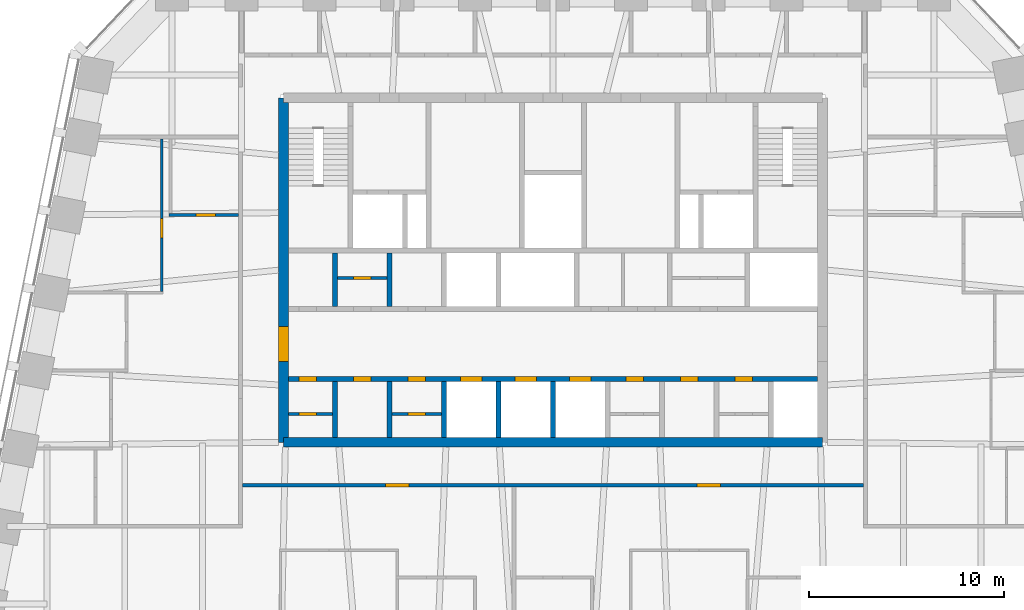
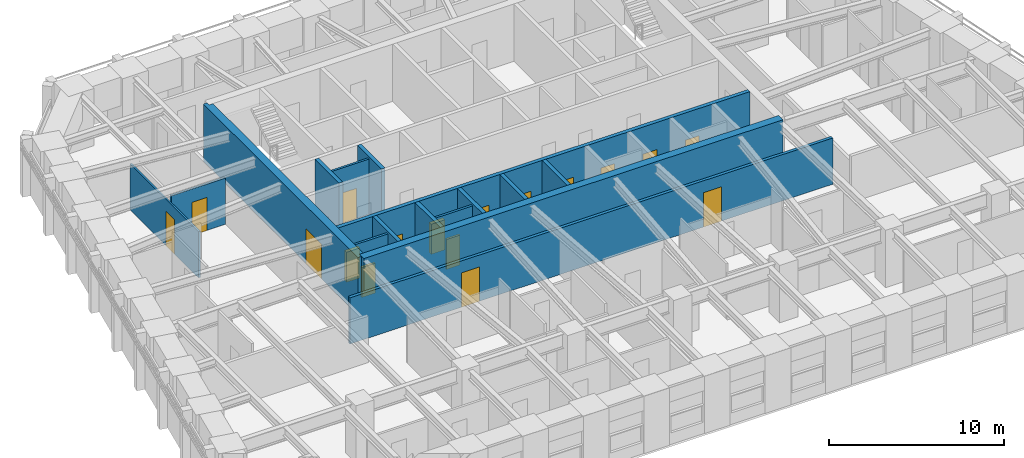
# One storey, part 6 of 11: 17 doors, 16 walls, 17 openings.
"""IFC4 building model written with IfcOpenShell, lengths in metres."""

from ifc_helpers import new_model, si_unit, direction, frame, frame_2d, origin, place, context, subcontext, project, spatial, polyline, rectangle, outline, extrude, material, layer, layer_set, type_object, element, fill, save


model = new_model("IFC4")

# Units and contexts
model_context = context("Model", 3, precision=1e-05, world=origin(), true_north=direction((0.0, 1.0)))
body_context = subcontext(model_context, "Body", "Model", "MODEL_VIEW")
ifc_project = project(units=[si_unit("LENGTHUNIT", "METRE"), si_unit("AREAUNIT", "SQUARE_METRE"), si_unit("VOLUMEUNIT", "CUBIC_METRE"), si_unit("PLANEANGLEUNIT", "RADIAN"), si_unit("MASSUNIT", "GRAM", prefix="KILO")], contexts=[model_context])

# Site, building, storey
site_placement = place(None, origin())
site = spatial("IfcSite", under=ifc_project, at=site_placement, CompositionType="ELEMENT")
building_placement = place(site_placement, origin())
building = spatial("IfcBuilding", under=site, at=building_placement, Name="Isbrekke Arena Tower", CompositionType="ELEMENT")
storey_placement = place(building_placement, frame((0.0, 0.0, 264.0)))
storey = spatial("IfcBuildingStorey", under=building, at=storey_placement, Name="L61", CompositionType="ELEMENT", Elevation=264.0)

# Wall
ifc_material_1 = material(Name="Concrete B55 (C55/67)", Category="concrete")
ifc_layer_1 = layer(ifc_material_1, 0.5)
ifc_layer_set_1 = layer_set([ifc_layer_1], Name="CW5 CORE WALL 500")
wall_type_1 = type_object("IfcWallType", Name="CW5 CORE WALL 500", PredefinedType="SHEAR", material=ifc_layer_set_1)
wall_1_placement = place(storey_placement, frame((-13.85009765625, 6.14990234375, 0.0), z_axis=(0.0, 0.0, 1.0), x_axis=(1.0, 0.0, 0.0)))
element("IfcWall", 1, at=wall_1_placement, inside=storey, type_object=wall_type_1, Name="Core wall S L61", PredefinedType="SHEAR", context=body_context, shape_type="SweptSolid", body=[
    extrude(rectangle(XDim=27.7001953125, YDim=0.5, at=frame_2d((13.85009765625, 0.0))), origin(), (0.0, 0.0, 1.0), 4.0),
])

# Wall, opening, door
wall_2_placement = place(storey_placement, frame((-13.85009765625, 23.85009765625, 0.0), z_axis=(0.0, 0.0, 1.0), x_axis=(0.0, -1.0, 0.0)))
wall_2 = element("IfcWall", 2, at=wall_2_placement, inside=storey, type_object=wall_type_1, Name="Core wall W L61", PredefinedType="SHEAR", context=body_context, shape_type="SweptSolid", body=[
    extrude(outline(polyline([(0.0, -0.25), (17.7001953125, -0.25), (17.7001953125, 0.0), (17.4501953125, 0.0), (17.4501953125, 0.25), (0.25, 0.25), (0.25, 0.0), (0.0, 0.0), (0.0, -0.25)])), origin(), (0.0, 0.0, 1.0), 4.0),
])
opening_1_placement = place(wall_2_placement, frame((11.75, 0.0, 0.0)))
opening_1 = element("IfcOpeningElement", 3, at=opening_1_placement, cuts=wall_2, Name="Opening D1", PredefinedType="OPENING", context=body_context, shape_type="SweptSolid", body=[
    extrude(rectangle(XDim=1.800048828125, YDim=2.39990234375, at=frame_2d((0.89990234375, 1.199951171875))), frame((0.0, 0.264892578125, 0.0), z_axis=(0.0, -1.0, 0.0), x_axis=(1.0, 0.0, 0.0)), (0.0, 0.0, 1.0), 0.52978515625),
])
ifc_material_2 = material(Name="Steel-framed glazed fire door", Category="steel")
door_type_1 = type_object("IfcDoorType", Name="D1 CORE LOBBY DOOR 1800 x 2400", OperationType="DOUBLE_DOOR_SINGLE_SWING", PredefinedType="DOOR", material=ifc_material_2)
door_1_placement = place(opening_1_placement, origin())
door_1 = element("IfcDoor", 4, at=door_1_placement, inside=storey, type_object=door_type_1, Name="D1 lift lobby door west L61", OperationType="DOUBLE_DOOR_SINGLE_SWING", OverallHeight=2.39990234375, OverallWidth=1.800048828125, PredefinedType="DOOR", context=body_context, shape_type="SweptSolid", body=[
    extrude(rectangle(XDim=1.800048828125, YDim=2.39990234375, at=frame_2d((0.89990234375, 1.199951171875))), frame((0.0, 0.249755859375, 0.0), z_axis=(0.0, -1.0, 0.0), x_axis=(1.0, 0.0, 0.0)), (0.0, 0.0, 1.0), 0.49951171875),
])
fill(opening_1, door_1)

# Wall, openings, doors
ifc_material_3 = material(Name="Concrete B45 (C45/55)", Category="concrete")
ifc_layer_2 = layer(ifc_material_3, 0.25)
ifc_layer_set_2 = layer_set([ifc_layer_2], Name="CW6 SHAFT WALL 250")
wall_type_2 = type_object("IfcWallType", Name="CW6 SHAFT WALL 250", PredefinedType="SHEAR", material=ifc_layer_set_2)
wall_3_placement = place(storey_placement, frame((-13.60009765625, 9.39990234375, 0.0), z_axis=(0.0, 0.0, 1.0), x_axis=(1.0, 0.0, 0.0)))
wall_3 = element("IfcWall", 5, at=wall_3_placement, inside=storey, type_object=wall_type_2, Name="Core wall LS L61", PredefinedType="SHEAR", context=body_context, shape_type="SweptSolid", body=[
    extrude(rectangle(XDim=27.2001953125, YDim=0.25, at=frame_2d((13.60009765625, 0.0))), origin(), (0.0, 0.0, 1.0), 4.0),
])
opening_2_placement = place(wall_3_placement, frame((8.85009765625, 0.0, 0.0)))
opening_2 = element("IfcOpeningElement", 6, at=opening_2_placement, cuts=wall_3, Name="Opening LD1", PredefinedType="OPENING", context=body_context, shape_type="SweptSolid", body=[
    extrude(rectangle(XDim=1.10009765625, YDim=2.10009765625, at=frame_2d((0.550048828125, 1.050048828125))), frame((0.0, 0.139892578125, 0.0), z_axis=(0.0, -1.0, 0.0), x_axis=(1.0, 0.0, 0.0)), (0.0, 0.0, 1.0), 0.27978515625),
])
opening_3_placement = place(wall_3_placement, frame((11.64990234375, 0.0, 0.0)))
opening_3 = element("IfcOpeningElement", 7, at=opening_3_placement, cuts=wall_3, Name="Opening LD1", PredefinedType="OPENING", context=body_context, shape_type="SweptSolid", body=[
    extrude(rectangle(XDim=1.10009765625, YDim=2.10009765625, at=frame_2d((0.550048828125, 1.050048828125))), frame((0.0, 0.139892578125, 0.0), z_axis=(0.0, -1.0, 0.0), x_axis=(1.0, 0.0, 0.0)), (0.0, 0.0, 1.0), 0.27978515625),
])
opening_4_placement = place(wall_3_placement, frame((14.449951171875, 0.0, 0.0)))
opening_4 = element("IfcOpeningElement", 8, at=opening_4_placement, cuts=wall_3, Name="Opening LD1", PredefinedType="OPENING", context=body_context, shape_type="SweptSolid", body=[
    extrude(rectangle(XDim=1.10009765625, YDim=2.10009765625, at=frame_2d((0.550048828125, 1.050048828125))), frame((0.0, 0.139892578125, 0.0), z_axis=(0.0, -1.0, 0.0), x_axis=(1.0, 0.0, 0.0)), (0.0, 0.0, 1.0), 0.27978515625),
])
opening_5_placement = place(wall_3_placement, frame((0.550048828125, 0.0, 0.0)))
opening_5 = element("IfcOpeningElement", 9, at=opening_5_placement, cuts=wall_3, Name="Opening D5", PredefinedType="OPENING", context=body_context, shape_type="SweptSolid", body=[
    extrude(rectangle(XDim=0.89990234375, YDim=2.10009765625, at=frame_2d((0.449951171875, 1.050048828125))), frame((0.0, 0.139892578125, 0.0), z_axis=(0.0, -1.0, 0.0), x_axis=(1.0, 0.0, 0.0)), (0.0, 0.0, 1.0), 0.27978515625),
])
opening_6_placement = place(wall_3_placement, frame((3.35009765625, 0.0, 0.0)))
opening_6 = element("IfcOpeningElement", 10, at=opening_6_placement, cuts=wall_3, Name="Opening D5", PredefinedType="OPENING", context=body_context, shape_type="SweptSolid", body=[
    extrude(rectangle(XDim=0.89990234375, YDim=2.10009765625, at=frame_2d((0.449951171875, 1.050048828125))), frame((0.0, 0.139892578125, 0.0), z_axis=(0.0, -1.0, 0.0), x_axis=(1.0, 0.0, 0.0)), (0.0, 0.0, 1.0), 0.27978515625),
])
opening_7_placement = place(wall_3_placement, frame((6.14990234375, 0.0, 0.0)))
opening_7 = element("IfcOpeningElement", 11, at=opening_7_placement, cuts=wall_3, Name="Opening D5", PredefinedType="OPENING", context=body_context, shape_type="SweptSolid", body=[
    extrude(rectangle(XDim=0.89990234375, YDim=2.10009765625, at=frame_2d((0.449951171875, 1.050048828125))), frame((0.0, 0.139892578125, 0.0), z_axis=(0.0, -1.0, 0.0), x_axis=(1.0, 0.0, 0.0)), (0.0, 0.0, 1.0), 0.27978515625),
])
opening_8_placement = place(wall_3_placement, frame((17.35009765625, 0.0, 0.0)))
opening_8 = element("IfcOpeningElement", 12, at=opening_8_placement, cuts=wall_3, Name="Opening D5", PredefinedType="OPENING", context=body_context, shape_type="SweptSolid", body=[
    extrude(rectangle(XDim=0.89990234375, YDim=2.10009765625, at=frame_2d((0.449951171875, 1.050048828125))), frame((0.0, 0.139892578125, 0.0), z_axis=(0.0, -1.0, 0.0), x_axis=(1.0, 0.0, 0.0)), (0.0, 0.0, 1.0), 0.27978515625),
])
opening_9_placement = place(wall_3_placement, frame((20.14990234375, 0.0, 0.0)))
opening_9 = element("IfcOpeningElement", 13, at=opening_9_placement, cuts=wall_3, Name="Opening D5", PredefinedType="OPENING", context=body_context, shape_type="SweptSolid", body=[
    extrude(rectangle(XDim=0.89990234375, YDim=2.10009765625, at=frame_2d((0.449951171875, 1.050048828125))), frame((0.0, 0.139892578125, 0.0), z_axis=(0.0, -1.0, 0.0), x_axis=(1.0, 0.0, 0.0)), (0.0, 0.0, 1.0), 0.27978515625),
])
opening_10_placement = place(wall_3_placement, frame((22.949951171875, 0.0, 0.0)))
opening_10 = element("IfcOpeningElement", 14, at=opening_10_placement, cuts=wall_3, Name="Opening D5", PredefinedType="OPENING", context=body_context, shape_type="SweptSolid", body=[
    extrude(rectangle(XDim=0.89990234375, YDim=2.10009765625, at=frame_2d((0.449951171875, 1.050048828125))), frame((0.0, 0.139892578125, 0.0), z_axis=(0.0, -1.0, 0.0), x_axis=(1.0, 0.0, 0.0)), (0.0, 0.0, 1.0), 0.27978515625),
])
ifc_material_4 = material(Name="Steel fire door", Category="steel")
door_type_2 = type_object("IfcDoorType", Name="D5 SERVICE DOOR 900 x 2100", OperationType="SINGLE_SWING_LEFT", PredefinedType="DOOR", material=ifc_material_4)
door_2_placement = place(opening_5_placement, origin())
door_2 = element("IfcDoor", 15, at=door_2_placement, inside=storey, type_object=door_type_2, Name="D5 print room door L61", OperationType="SINGLE_SWING_LEFT", OverallHeight=2.10009765625, OverallWidth=0.89990234375, PredefinedType="DOOR", context=body_context, shape_type="SweptSolid", body=[
    extrude(rectangle(XDim=0.89990234375, YDim=2.10009765625, at=frame_2d((0.449951171875, 1.050048828125))), frame((0.0, 0.124755859375, 0.0), z_axis=(0.0, -1.0, 0.0), x_axis=(1.0, 0.0, 0.0)), (0.0, 0.0, 1.0), 0.24951171875),
])
fill(opening_5, door_2)
door_3_placement = place(opening_6_placement, origin())
door_3 = element("IfcDoor", 16, at=door_3_placement, inside=storey, type_object=door_type_2, Name="D5 tenant store door L61", OperationType="SINGLE_SWING_LEFT", OverallHeight=2.10009765625, OverallWidth=0.89990234375, PredefinedType="DOOR", context=body_context, shape_type="SweptSolid", body=[
    extrude(rectangle(XDim=0.89990234375, YDim=2.10009765625, at=frame_2d((0.449951171875, 1.050048828125))), frame((0.0, 0.124755859375, 0.0), z_axis=(0.0, -1.0, 0.0), x_axis=(1.0, 0.0, 0.0)), (0.0, 0.0, 1.0), 0.24951171875),
])
fill(opening_6, door_3)
door_4_placement = place(opening_7_placement, origin())
door_4 = element("IfcDoor", 17, at=door_4_placement, inside=storey, type_object=door_type_2, Name="D5 tea point door L61", OperationType="SINGLE_SWING_LEFT", OverallHeight=2.10009765625, OverallWidth=0.89990234375, PredefinedType="DOOR", context=body_context, shape_type="SweptSolid", body=[
    extrude(rectangle(XDim=0.89990234375, YDim=2.10009765625, at=frame_2d((0.449951171875, 1.050048828125))), frame((0.0, 0.124755859375, 0.0), z_axis=(0.0, -1.0, 0.0), x_axis=(1.0, 0.0, 0.0)), (0.0, 0.0, 1.0), 0.24951171875),
])
fill(opening_7, door_4)
door_5_placement = place(opening_8_placement, origin())
door_5 = element("IfcDoor", 18, at=door_5_placement, inside=storey, type_object=door_type_2, Name="D5 pantry door L61", OperationType="SINGLE_SWING_LEFT", OverallHeight=2.10009765625, OverallWidth=0.89990234375, PredefinedType="DOOR", context=body_context, shape_type="SweptSolid", body=[
    extrude(rectangle(XDim=0.89990234375, YDim=2.10009765625, at=frame_2d((0.449951171875, 1.050048828125))), frame((0.0, 0.124755859375, 0.0), z_axis=(0.0, -1.0, 0.0), x_axis=(1.0, 0.0, 0.0)), (0.0, 0.0, 1.0), 0.24951171875),
])
fill(opening_8, door_5)
door_6_placement = place(opening_9_placement, origin())
door_6 = element("IfcDoor", 19, at=door_6_placement, inside=storey, type_object=door_type_2, Name="D5 print room door L61", OperationType="SINGLE_SWING_LEFT", OverallHeight=2.10009765625, OverallWidth=0.89990234375, PredefinedType="DOOR", context=body_context, shape_type="SweptSolid", body=[
    extrude(rectangle(XDim=0.89990234375, YDim=2.10009765625, at=frame_2d((0.449951171875, 1.050048828125))), frame((0.0, 0.124755859375, 0.0), z_axis=(0.0, -1.0, 0.0), x_axis=(1.0, 0.0, 0.0)), (0.0, 0.0, 1.0), 0.24951171875),
])
fill(opening_9, door_6)
door_7_placement = place(opening_10_placement, origin())
door_7 = element("IfcDoor", 20, at=door_7_placement, inside=storey, type_object=door_type_2, Name="D5 first-aid room door L61", OperationType="SINGLE_SWING_LEFT", OverallHeight=2.10009765625, OverallWidth=0.89990234375, PredefinedType="DOOR", context=body_context, shape_type="SweptSolid", body=[
    extrude(rectangle(XDim=0.89990234375, YDim=2.10009765625, at=frame_2d((0.449951171875, 1.050048828125))), frame((0.0, 0.124755859375, 0.0), z_axis=(0.0, -1.0, 0.0), x_axis=(1.0, 0.0, 0.0)), (0.0, 0.0, 1.0), 0.24951171875),
])
fill(opening_10, door_7)
ifc_material_5 = material(Name="Stainless steel lift landing door", Category="steel")
door_type_3 = type_object("IfcDoorType", Name="LD1 LIFT LANDING DOOR 1100 x 2100", OperationType="SLIDING_TO_LEFT", PredefinedType="DOOR", material=ifc_material_5)
door_8_placement = place(opening_2_placement, origin())
door_8 = element("IfcDoor", 21, at=door_8_placement, inside=storey, type_object=door_type_3, Name="LD1 lift landing door LE L61", OperationType="SLIDING_TO_LEFT", OverallHeight=2.10009765625, OverallWidth=1.10009765625, PredefinedType="DOOR", context=body_context, shape_type="SweptSolid", body=[
    extrude(rectangle(XDim=1.10009765625, YDim=2.10009765625, at=frame_2d((0.550048828125, 1.050048828125))), frame((0.0, 0.124755859375, 0.0), z_axis=(0.0, -1.0, 0.0), x_axis=(1.0, 0.0, 0.0)), (0.0, 0.0, 1.0), 0.24951171875),
])
fill(opening_2, door_8)
door_9_placement = place(opening_3_placement, origin())
door_9 = element("IfcDoor", 22, at=door_9_placement, inside=storey, type_object=door_type_3, Name="LD1 lift landing door LE L61", OperationType="SLIDING_TO_LEFT", OverallHeight=2.10009765625, OverallWidth=1.10009765625, PredefinedType="DOOR", context=body_context, shape_type="SweptSolid", body=[
    extrude(rectangle(XDim=1.10009765625, YDim=2.10009765625, at=frame_2d((0.550048828125, 1.050048828125))), frame((0.0, 0.124755859375, 0.0), z_axis=(0.0, -1.0, 0.0), x_axis=(1.0, 0.0, 0.0)), (0.0, 0.0, 1.0), 0.24951171875),
])
fill(opening_3, door_9)
door_10_placement = place(opening_4_placement, origin())
door_10 = element("IfcDoor", 23, at=door_10_placement, inside=storey, type_object=door_type_3, Name="LD1 lift landing door LE L61", OperationType="SLIDING_TO_LEFT", OverallHeight=2.10009765625, OverallWidth=1.10009765625, PredefinedType="DOOR", context=body_context, shape_type="SweptSolid", body=[
    extrude(rectangle(XDim=1.10009765625, YDim=2.10009765625, at=frame_2d((0.550048828125, 1.050048828125))), frame((0.0, 0.124755859375, 0.0), z_axis=(0.0, -1.0, 0.0), x_axis=(1.0, 0.0, 0.0)), (0.0, 0.0, 1.0), 0.24951171875),
])
fill(opening_4, door_10)

# Walls
for number, where, z_axis, x_axis, name in (
    (24, (-11.199951171875, 6.39990234375, 0.0), (0.0, 0.0, 1.0), (0.0, 1.0, 0.0), "Core wall SS01 L61"),
    (25, (-8.39990234375, 6.39990234375, 0.0), (0.0, 0.0, 1.0), (0.0, 1.0, 0.0), "Core wall SS02 L61"),
    (26, (-5.60009765625, 6.39990234375, 0.0), (0.0, 0.0, 1.0), (0.0, 1.0, 0.0), "Core wall SS03 L61"),
    (27, (-2.800048828125, 6.39990234375, 0.0), (0.0, 0.0, 1.0), (0.0, 1.0, 0.0), "Core wall SS04 L61"),
    (28, (0.0, 6.39990234375, 0.0), (0.0, 0.0, 1.0), (0.0, 1.0, 0.0), "Core wall SS05 L61"),
):
    element("IfcWall", number, at=place(storey_placement, frame(where, z_axis=z_axis, x_axis=x_axis)), inside=storey, type_object=wall_type_2, Name=name, PredefinedType="SHEAR", context=body_context, shape_type="SweptSolid", body=[
        extrude(rectangle(XDim=2.875, YDim=0.25, at=frame_2d((1.4375, 0.0))), origin(), (0.0, 0.0, 1.0), 4.0),
    ])
for number, where, z_axis, x_axis, name in (
    (29, (-11.199951171875, 13.125, 0.0), (0.0, 0.0, 1.0), (0.0, 1.0, 0.0), "Core wall SN01 L61"),
    (30, (-8.39990234375, 13.125, 0.0), (0.0, 0.0, 1.0), (0.0, 1.0, 0.0), "Core wall SN02 L61"),
):
    element("IfcWall", number, at=place(storey_placement, frame(where, z_axis=z_axis, x_axis=x_axis)), inside=storey, type_object=wall_type_2, Name=name, PredefinedType="SHEAR", context=body_context, shape_type="SweptSolid", body=[
        extrude(rectangle(XDim=2.75, YDim=0.25, at=frame_2d((1.375, 0.0))), origin(), (0.0, 0.0, 1.0), 4.0),
    ])

# Wall, opening, door
ifc_material_6 = material(Name="Gypsum board partition on steel studs", Category="steel")
ifc_layer_3 = layer(ifc_material_6, 0.14990234375)
ifc_layer_set_3 = layer_set([ifc_layer_3], Name="IW1 PARTITION 150")
wall_type_3 = type_object("IfcWallType", Name="IW1 PARTITION 150", PredefinedType="PARTITIONING", material=ifc_layer_set_3)
wall_4_placement = place(storey_placement, frame((-19.72509765625, 17.840087890625, 0.0), z_axis=(0.0, 0.0, 1.0), x_axis=(1.0, 0.0, 0.0)))
wall_4 = element("IfcWall", 31, at=wall_4_placement, inside=storey, type_object=wall_type_3, Name="IW1 partition 150 L61", PredefinedType="PARTITIONING", context=body_context, shape_type="SweptSolid", body=[
    extrude(rectangle(XDim=3.5751953125, YDim=0.14990234375, at=frame_2d((1.78759765625, 0.0))), origin(), (0.0, 0.0, 1.0), 3.22998046875),
])
opening_11_placement = place(wall_4_placement, frame((1.375, 0.0, 0.0)))
opening_11 = element("IfcOpeningElement", 32, at=opening_11_placement, cuts=wall_4, Name="Opening D10", PredefinedType="OPENING", context=body_context, shape_type="SweptSolid", body=[
    extrude(rectangle(XDim=1.0, YDim=2.300048828125, at=frame_2d((0.5, 1.14990234375))), frame((0.0, 0.08984375, 0.0), z_axis=(0.0, -1.0, 0.0), x_axis=(1.0, 0.0, 0.0)), (0.0, 0.0, 1.0), 0.1796875),
])
ifc_material_7 = material(Name="Timber door", Category="wood")
door_type_4 = type_object("IfcDoorType", Name="D10 OFFICE DOOR 1000 x 2300", OperationType="SINGLE_SWING_LEFT", PredefinedType="DOOR", material=ifc_material_7)
door_11_placement = place(opening_11_placement, origin())
door_11 = element("IfcDoor", 33, at=door_11_placement, inside=storey, type_object=door_type_4, Name="D10 tea point door L61", OperationType="SINGLE_SWING_LEFT", OverallHeight=2.300048828125, OverallWidth=1.0, PredefinedType="DOOR", context=body_context, shape_type="SweptSolid", body=[
    extrude(rectangle(XDim=1.0, YDim=2.300048828125, at=frame_2d((0.5, 1.14990234375))), frame((0.0, 0.07470703125, 0.0), z_axis=(0.0, -1.0, 0.0), x_axis=(1.0, 0.0, 0.0)), (0.0, 0.0, 1.0), 0.1494140625),
])
fill(opening_11, door_11)

ifc_material_8 = material(Name="Frameless glazed partition, laminated acoustic glass", Category="glass")
ifc_layer_4 = layer(ifc_material_8, 0.1201171875)
ifc_layer_set_4 = layer_set([ifc_layer_4], Name="IW2 GLAZED PARTITION 120")
wall_type_4 = type_object("IfcWallType", Name="IW2 GLAZED PARTITION 120", PredefinedType="PARTITIONING", material=ifc_layer_set_4)
wall_5_placement = place(storey_placement, frame((-20.10009765625, 13.89990234375, 0.0), z_axis=(0.0, 0.0, 1.0), x_axis=(0.0, 1.0, 0.0)))
wall_5 = element("IfcWall", 34, at=wall_5_placement, inside=storey, type_object=wall_type_4, Name="IW2 glazed partition 120 L61", PredefinedType="PARTITIONING", context=body_context, shape_type="SweptSolid", body=[
    extrude(rectangle(XDim=7.840087890625, YDim=0.1201171875, at=frame_2d((3.919921875, 0.0))), origin(), (0.0, 0.0, 1.0), 3.22998046875),
])
opening_12_placement = place(wall_5_placement, frame((2.739990234375, 0.0, 0.0)))
opening_12 = element("IfcOpeningElement", 35, at=opening_12_placement, cuts=wall_5, Name="Opening D11", PredefinedType="OPENING", context=body_context, shape_type="SweptSolid", body=[
    extrude(rectangle(XDim=1.0, YDim=2.39990234375, at=frame_2d((0.5, 1.199951171875))), frame((0.0, 0.074951171875, 0.0), z_axis=(0.0, -1.0, 0.0), x_axis=(1.0, 0.0, 0.0)), (0.0, 0.0, 1.0), 0.14990234375),
])
ifc_material_9 = material(Name="Frameless glazed door", Category="glass")
door_type_5 = type_object("IfcDoorType", Name="D11 GLAZED MEETING ROOM DOOR 1000 x 2400", OperationType="SINGLE_SWING_RIGHT", PredefinedType="DOOR", material=ifc_material_9)
door_12_placement = place(opening_12_placement, origin())
door_12 = element("IfcDoor", 36, at=door_12_placement, inside=storey, type_object=door_type_5, Name="D11 meeting room door L61", OperationType="SINGLE_SWING_RIGHT", OverallHeight=2.39990234375, OverallWidth=1.0, PredefinedType="DOOR", context=body_context, shape_type="SweptSolid", body=[
    extrude(rectangle(XDim=1.0, YDim=2.39990234375, at=frame_2d((0.5, 1.199951171875))), frame((0.0, 0.059814453125, 0.0), z_axis=(0.0, -1.0, 0.0), x_axis=(1.0, 0.0, 0.0)), (0.0, 0.0, 1.0), 0.11962890625),
])
fill(opening_12, door_12)

# Wall, openings, doors
ifc_material_10 = material(Name="Gypsum board fire-cell wall on steel studs, two layers each side", Category="steel")
ifc_layer_5 = layer(ifc_material_10, 0.199951171875)
ifc_layer_set_5 = layer_set([ifc_layer_5], Name="IW3 FIRE-CELL WALL 200")
wall_type_5 = type_object("IfcWallType", Name="IW3 FIRE-CELL WALL 200", PredefinedType="PARTITIONING", material=ifc_layer_set_5)
wall_6_placement = place(storey_placement, frame((-15.949951171875, 3.949951171875, 0.0), z_axis=(0.0, 0.0, 1.0), x_axis=(1.0, 0.0, 0.0)))
wall_6 = element("IfcWall", 37, at=wall_6_placement, inside=storey, type_object=wall_type_5, Name="IW3 fire-cell wall 200 L61", PredefinedType="PARTITIONING", context=body_context, shape_type="SweptSolid", body=[
    extrude(rectangle(XDim=31.89990234375, YDim=0.199951171875, at=frame_2d((15.949951171875, 0.0))), origin(), (0.0, 0.0, 1.0), 3.22998046875),
])
opening_13_placement = place(wall_6_placement, frame((7.35009765625, 0.0, 0.0)))
opening_13 = element("IfcOpeningElement", 38, at=opening_13_placement, cuts=wall_6, Name="Opening D12", PredefinedType="OPENING", context=body_context, shape_type="SweptSolid", body=[
    extrude(rectangle(XDim=1.199951171875, YDim=2.39990234375, at=frame_2d((0.60009765625, 1.199951171875))), frame((0.0, 0.11474609375, 0.0), z_axis=(0.0, -1.0, 0.0), x_axis=(1.0, 0.0, 0.0)), (0.0, 0.0, 1.0), 0.229736328125),
])
opening_14_placement = place(wall_6_placement, frame((23.35009765625, 0.0, 0.0)))
opening_14 = element("IfcOpeningElement", 39, at=opening_14_placement, cuts=wall_6, Name="Opening D12", PredefinedType="OPENING", context=body_context, shape_type="SweptSolid", body=[
    extrude(rectangle(XDim=1.199951171875, YDim=2.39990234375, at=frame_2d((0.60009765625, 1.199951171875))), frame((0.0, 0.11474609375, 0.0), z_axis=(0.0, -1.0, 0.0), x_axis=(1.0, 0.0, 0.0)), (0.0, 0.0, 1.0), 0.229736328125),
])
ifc_material_11 = material(Name="Timber fire door with vision panel", Category="wood")
door_type_6 = type_object("IfcDoorType", Name="D12 SUITE ENTRANCE DOOR 1200 x 2400", OperationType="SINGLE_SWING_LEFT", PredefinedType="DOOR", material=ifc_material_11)
door_13_placement = place(opening_13_placement, origin())
door_13 = element("IfcDoor", 40, at=door_13_placement, inside=storey, type_object=door_type_6, Name="D12 suite entrance SW door L61", OperationType="SINGLE_SWING_LEFT", OverallHeight=2.39990234375, OverallWidth=1.199951171875, PredefinedType="DOOR", context=body_context, shape_type="SweptSolid", body=[
    extrude(rectangle(XDim=1.199951171875, YDim=2.39990234375, at=frame_2d((0.60009765625, 1.199951171875))), frame((0.0, 0.099609375, 0.0), z_axis=(0.0, -1.0, 0.0), x_axis=(1.0, 0.0, 0.0)), (0.0, 0.0, 1.0), 0.199462890625),
])
fill(opening_13, door_13)
door_14_placement = place(opening_14_placement, origin())
door_14 = element("IfcDoor", 41, at=door_14_placement, inside=storey, type_object=door_type_6, Name="D12 suite entrance SE door L61", OperationType="SINGLE_SWING_LEFT", OverallHeight=2.39990234375, OverallWidth=1.199951171875, PredefinedType="DOOR", context=body_context, shape_type="SweptSolid", body=[
    extrude(rectangle(XDim=1.199951171875, YDim=2.39990234375, at=frame_2d((0.60009765625, 1.199951171875))), frame((0.0, 0.099609375, 0.0), z_axis=(0.0, -1.0, 0.0), x_axis=(1.0, 0.0, 0.0)), (0.0, 0.0, 1.0), 0.199462890625),
])
fill(opening_14, door_14)

# Wall, opening, door
ifc_material_12 = material(Name="Gypsum board fire-rated partition on steel studs, two layers each side", Category="steel")
ifc_layer_6 = layer(ifc_material_12, 0.14990234375)
ifc_layer_set_6 = layer_set([ifc_layer_6], Name="IW5 FIRE-RATED PARTITION 150")
wall_type_6 = type_object("IfcWallType", Name="IW5 FIRE-RATED PARTITION 150", PredefinedType="PARTITIONING", material=ifc_layer_set_6)
wall_7_placement = place(storey_placement, frame((-11.074951171875, 14.60009765625, 0.0), z_axis=(0.0, 0.0, 1.0), x_axis=(1.0, 0.0, 0.0)))
wall_7 = element("IfcWall", 42, at=wall_7_placement, inside=storey, type_object=wall_type_6, Name="IW5 fire-rated partition L61 core service rooms 3", PredefinedType="PARTITIONING", context=body_context, shape_type="SweptSolid", body=[
    extrude(rectangle(XDim=2.550048828125, YDim=0.14990234375, at=frame_2d((1.27490234375, 0.0))), origin(), (0.0, 0.0, 1.0), 3.85009765625),
])
opening_15_placement = place(wall_7_placement, frame((0.824951171875, 0.0, 0.0)))
opening_15 = element("IfcOpeningElement", 43, at=opening_15_placement, cuts=wall_7, Name="Opening D5", PredefinedType="OPENING", context=body_context, shape_type="SweptSolid", body=[
    extrude(rectangle(XDim=0.89990234375, YDim=2.10009765625, at=frame_2d((0.449951171875, 1.050048828125))), frame((0.0, 0.08984375, 0.0), z_axis=(0.0, -1.0, 0.0), x_axis=(1.0, 0.0, 0.0)), (0.0, 0.0, 1.0), 0.1796875),
])
door_15_placement = place(opening_15_placement, origin())
door_15 = element("IfcDoor", 44, at=door_15_placement, inside=storey, type_object=door_type_2, Name="D5 archive door L61", OperationType="SINGLE_SWING_LEFT", OverallHeight=2.10009765625, OverallWidth=0.89990234375, PredefinedType="DOOR", context=body_context, shape_type="SweptSolid", body=[
    extrude(rectangle(XDim=0.89990234375, YDim=2.10009765625, at=frame_2d((0.449951171875, 1.050048828125))), frame((0.0, 0.07470703125, 0.0), z_axis=(0.0, -1.0, 0.0), x_axis=(1.0, 0.0, 0.0)), (0.0, 0.0, 1.0), 0.1494140625),
])
fill(opening_15, door_15)

wall_8_placement = place(storey_placement, frame((-13.60009765625, 7.60009765625, 0.0), z_axis=(0.0, 0.0, 1.0), x_axis=(1.0, 0.0, 0.0)))
wall_8 = element("IfcWall", 45, at=wall_8_placement, inside=storey, type_object=wall_type_6, Name="IW5 fire-rated partition L61 core service rooms 4", PredefinedType="PARTITIONING", context=body_context, shape_type="SweptSolid", body=[
    extrude(rectangle(XDim=2.275146484375, YDim=0.14990234375, at=frame_2d((1.1376953125, 0.0))), origin(), (0.0, 0.0, 1.0), 3.85009765625),
])
opening_16_placement = place(wall_8_placement, frame((0.550048828125, 0.0, 0.0)))
opening_16 = element("IfcOpeningElement", 46, at=opening_16_placement, cuts=wall_8, Name="Opening D5", PredefinedType="OPENING", context=body_context, shape_type="SweptSolid", body=[
    extrude(rectangle(XDim=0.89990234375, YDim=2.10009765625, at=frame_2d((0.449951171875, 1.050048828125))), frame((0.0, 0.08984375, 0.0), z_axis=(0.0, -1.0, 0.0), x_axis=(1.0, 0.0, 0.0)), (0.0, 0.0, 1.0), 0.1796875),
])
door_16_placement = place(opening_16_placement, origin())
door_16 = element("IfcDoor", 47, at=door_16_placement, inside=storey, type_object=door_type_2, Name="D5 tenant store door L61", OperationType="SINGLE_SWING_LEFT", OverallHeight=2.10009765625, OverallWidth=0.89990234375, PredefinedType="DOOR", context=body_context, shape_type="SweptSolid", body=[
    extrude(rectangle(XDim=0.89990234375, YDim=2.10009765625, at=frame_2d((0.449951171875, 1.050048828125))), frame((0.0, 0.07470703125, 0.0), z_axis=(0.0, -1.0, 0.0), x_axis=(1.0, 0.0, 0.0)), (0.0, 0.0, 1.0), 0.1494140625),
])
fill(opening_16, door_16)

wall_9_placement = place(storey_placement, frame((-8.27490234375, 7.60009765625, 0.0), z_axis=(0.0, 0.0, 1.0), x_axis=(1.0, 0.0, 0.0)))
wall_9 = element("IfcWall", 48, at=wall_9_placement, inside=storey, type_object=wall_type_6, Name="IW5 fire-rated partition L61 core service rooms 5", PredefinedType="PARTITIONING", context=body_context, shape_type="SweptSolid", body=[
    extrude(rectangle(XDim=2.5498046875, YDim=0.14990234375, at=frame_2d((1.27490234375, 0.0))), origin(), (0.0, 0.0, 1.0), 3.85009765625),
])
opening_17_placement = place(wall_9_placement, frame((0.824951171875, 0.0, 0.0)))
opening_17 = element("IfcOpeningElement", 49, at=opening_17_placement, cuts=wall_9, Name="Opening D5", PredefinedType="OPENING", context=body_context, shape_type="SweptSolid", body=[
    extrude(rectangle(XDim=0.89990234375, YDim=2.10009765625, at=frame_2d((0.449951171875, 1.050048828125))), frame((0.0, 0.08984375, 0.0), z_axis=(0.0, -1.0, 0.0), x_axis=(1.0, 0.0, 0.0)), (0.0, 0.0, 1.0), 0.1796875),
])
door_17_placement = place(opening_17_placement, origin())
door_17 = element("IfcDoor", 50, at=door_17_placement, inside=storey, type_object=door_type_2, Name="D5 store door L61", OperationType="SINGLE_SWING_LEFT", OverallHeight=2.10009765625, OverallWidth=0.89990234375, PredefinedType="DOOR", context=body_context, shape_type="SweptSolid", body=[
    extrude(rectangle(XDim=0.89990234375, YDim=2.10009765625, at=frame_2d((0.449951171875, 1.050048828125))), frame((0.0, 0.07470703125, 0.0), z_axis=(0.0, -1.0, 0.0), x_axis=(1.0, 0.0, 0.0)), (0.0, 0.0, 1.0), 0.1494140625),
])
fill(opening_17, door_17)

save(model, "model.ifc")
